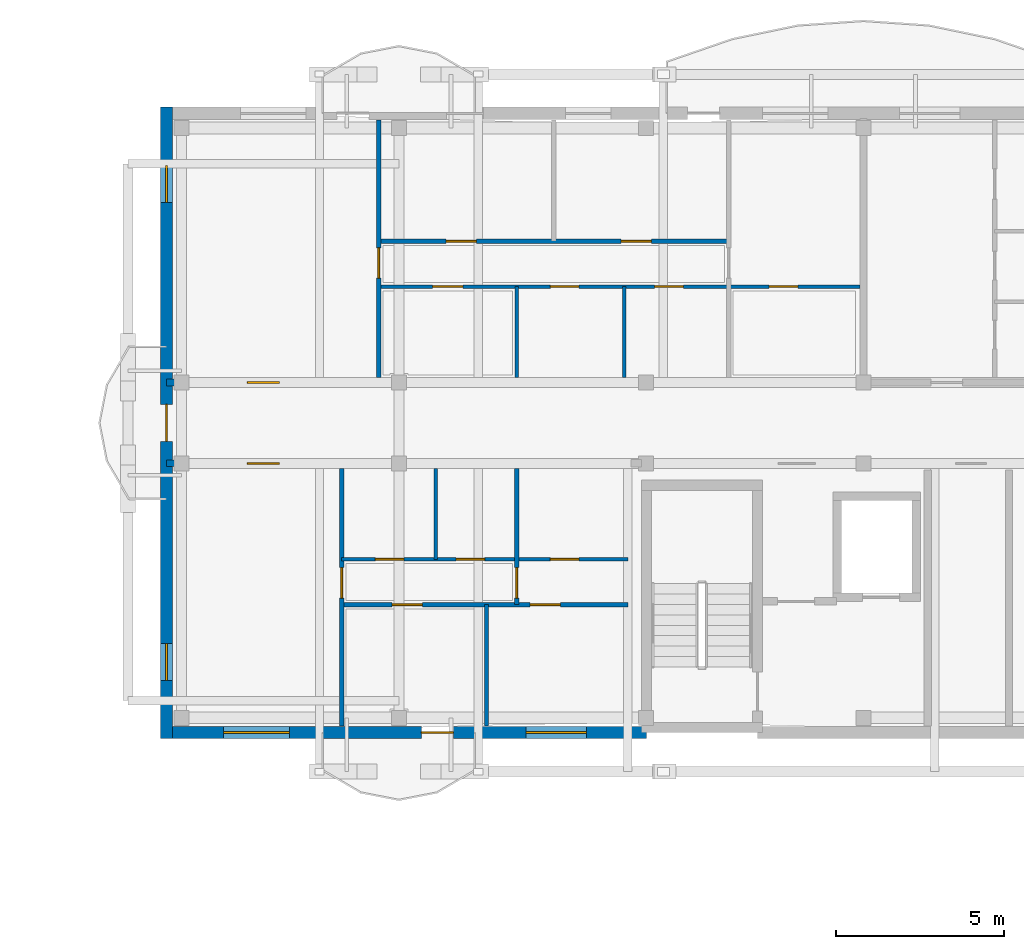
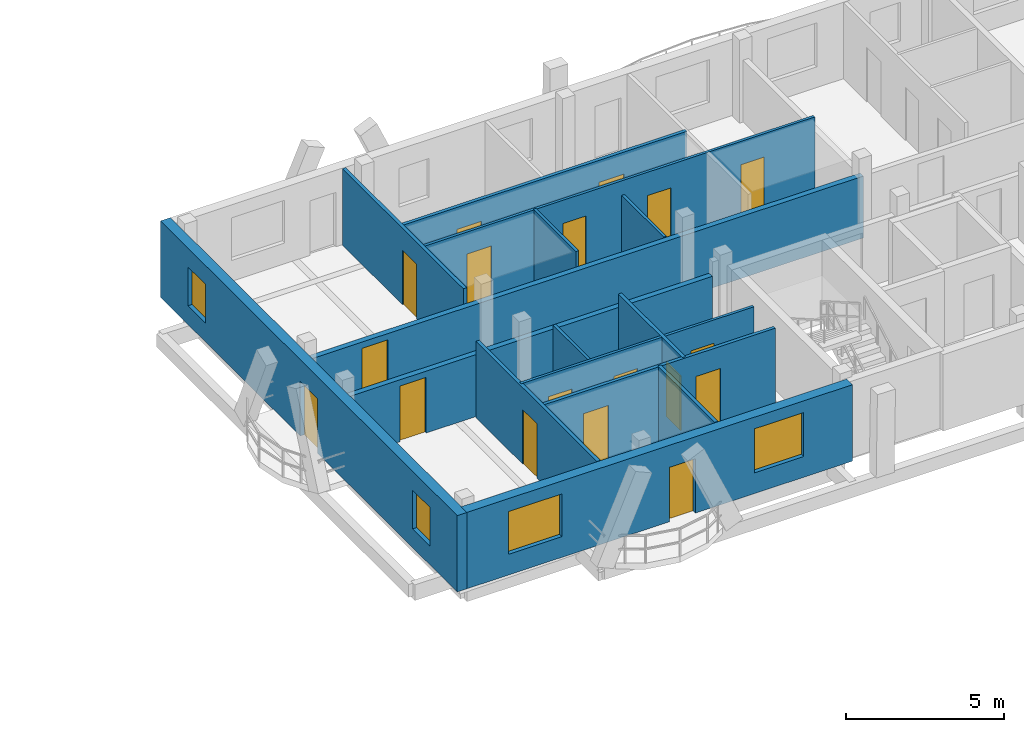
# One storey, part 26 of 48: 18 doors, 15 walls, 4 windows, 22 openings.
"""IFC4 building model written with IfcOpenShell, lengths in metres."""

from ifc_helpers import new_model, si_unit, direction, frame, frame_2d, origin, origin_with_axes, place, context, subcontext, project, spatial, rectangle, extrude, material, layer, layer_set, type_object, element, fill, save


model = new_model("IFC4")

# Units and contexts
model_context = context("Model", 3, precision=1e-05, world=origin(), true_north=direction((0.0, 1.0)))
body_context = subcontext(model_context, "Body", "Model", "MODEL_VIEW")
ifc_project = project(units=[si_unit("LENGTHUNIT", "METRE"), si_unit("AREAUNIT", "SQUARE_METRE"), si_unit("VOLUMEUNIT", "CUBIC_METRE"), si_unit("PLANEANGLEUNIT", "RADIAN"), si_unit("MASSUNIT", "GRAM", prefix="KILO")], contexts=[model_context])

# Site, building, storey
site_placement = place(None, origin())
site = spatial("IfcSite", under=ifc_project, at=site_placement, CompositionType="ELEMENT")
building_placement = place(site_placement, origin())
building = spatial("IfcBuilding", under=site, at=building_placement, Name="Zavelmont Quarter", CompositionType="ELEMENT")
storey_placement = place(building_placement, frame((0.0, 0.0, 17.60009765625)))
storey = spatial("IfcBuildingStorey", under=building, at=storey_placement, Name="L05", CompositionType="ELEMENT", Elevation=17.60009765625)

# Wall, openings, door, windows
ifc_material_1 = material(Name="Natural Belgian limestone", Category="masonry")
ifc_layer_1 = layer(ifc_material_1, 0.360107421875)
ifc_layer_set_1 = layer_set([ifc_layer_1], Name="Natural Belgian limestone")
wall_type_1 = type_object("IfcWallType", Name="EW02", PredefinedType="STANDARD", material=ifc_layer_set_1)
wall_1_placement = place(storey_placement, frame((112.969970703125, 97.60009765625, 0.0), z_axis=(0.0, 0.0, 1.0), x_axis=(1.0, 0.0, 0.0)))
wall_1 = element("IfcWall", 1, at=wall_1_placement, inside=storey, type_object=wall_type_1, Name="L05 exterior limestone wall EW02", PredefinedType="STANDARD", context=body_context, shape_type="SweptSolid", body=[
    extrude(rectangle(XDim=14.080078125, YDim=0.360107421875, at=frame_2d((7.0400390625, 0.0))), origin(), (0.0, 0.0, 1.0), 2.949951171875),
])
opening_1_placement = place(wall_1_placement, frame((7.39990234375, 0.0, 0.0)))
opening_1 = element("IfcOpeningElement", 2, at=opening_1_placement, cuts=wall_1, Name="Opening DR04", PredefinedType="OPENING", context=body_context, shape_type="SweptSolid", body=[
    extrude(rectangle(XDim=0.949951171875, YDim=2.10009765625, at=frame_2d((0.47509765625, 1.050048828125))), frame((0.0, 0.19189453125, 0.0), z_axis=(0.0, -1.0, 0.0), x_axis=(1.0, 0.0, 0.0)), (0.0, 0.0, 1.0), 0.384033203125),
])
opening_2_placement = place(wall_1_placement, frame((1.52490234375, 0.0, 0.800048828125)))
opening_2 = element("IfcOpeningElement", 3, at=opening_2_placement, cuts=wall_1, Name="Opening WN24", PredefinedType="OPENING", context=body_context, shape_type="SweptSolid", body=[
    extrude(rectangle(XDim=1.949951171875, YDim=1.64990234375, at=frame_2d((0.97509765625, 0.824951171875))), frame((0.0, 0.19189453125, 0.0), z_axis=(0.0, -1.0, 0.0), x_axis=(1.0, 0.0, 0.0)), (0.0, 0.0, 1.0), 0.384033203125),
])
opening_3_placement = place(wall_1_placement, frame((10.5, 0.0, 0.800048828125)))
opening_3 = element("IfcOpeningElement", 4, at=opening_3_placement, cuts=wall_1, Name="Opening WN02", PredefinedType="OPENING", context=body_context, shape_type="SweptSolid", body=[
    extrude(rectangle(XDim=1.800048828125, YDim=1.699951171875, at=frame_2d((0.89990234375, 0.85009765625))), frame((0.0, 0.19189453125, 0.0), z_axis=(0.0, -1.0, 0.0), x_axis=(1.0, 0.0, 0.0)), (0.0, 0.0, 1.0), 0.384033203125),
])
ifc_material_2 = material(Name="Thermally broken aluminium and double safety glass", Category="aluminium")
door_type_1 = type_object("IfcDoorType", Name="DR04", OperationType="NOTDEFINED", PredefinedType="DOOR", material=ifc_material_2)
door_1_placement = place(opening_1_placement, origin_with_axes())
door_1 = element("IfcDoor", 5, at=door_1_placement, inside=storey, type_object=door_type_1, Name="Block C L05 glazed balcony door", OperationType="SINGLE_SWING_LEFT", OverallHeight=2.10009765625, OverallWidth=0.949951171875, PredefinedType="DOOR", context=body_context, shape_type="SweptSolid", body=[
    extrude(rectangle(XDim=0.949951171875, YDim=2.10009765625, at=frame_2d((0.47509765625, 1.050048828125))), frame((0.0, 0.02490234375, 0.0), z_axis=(0.0, -1.0, 0.0), x_axis=(1.0, 0.0, 0.0)), (0.0, 0.0, 1.0), 0.050048828125),
])
fill(opening_1, door_1)
ifc_material_3 = material(Name="Double low-E insulated glazing in thermally broken aluminium frame", Category="aluminium")
window_type_1 = type_object("IfcWindowType", Name="WN02", PartitioningType="SINGLE_PANEL", PredefinedType="WINDOW", material=ifc_material_3)
window_1_placement = place(opening_3_placement, origin_with_axes())
window_1 = element("IfcWindow", 6, at=window_1_placement, inside=storey, type_object=window_type_1, Name="L05 window WN02", OverallHeight=1.699951171875, OverallWidth=1.800048828125, PartitioningType="SINGLE_PANEL", PredefinedType="WINDOW", context=body_context, shape_type="SweptSolid", body=[
    extrude(rectangle(XDim=1.800048828125, YDim=1.699951171875, at=frame_2d((0.89990234375, 0.85009765625))), frame((0.0, 0.030029296875, 0.0), z_axis=(0.0, -1.0, 0.0), x_axis=(1.0, 0.0, 0.0)), (0.0, 0.0, 1.0), 0.06005859375),
])
fill(opening_3, window_1)
window_type_2 = type_object("IfcWindowType", Name="WN24", PartitioningType="SINGLE_PANEL", PredefinedType="WINDOW", material=ifc_material_3)
window_2_placement = place(opening_2_placement, origin_with_axes())
window_2 = element("IfcWindow", 7, at=window_2_placement, inside=storey, type_object=window_type_2, Name="L05 window WN24", OverallHeight=1.64990234375, OverallWidth=1.949951171875, PartitioningType="SINGLE_PANEL", PredefinedType="WINDOW", context=body_context, shape_type="SweptSolid", body=[
    extrude(rectangle(XDim=1.949951171875, YDim=1.64990234375, at=frame_2d((0.97509765625, 0.824951171875))), frame((0.0, 0.030029296875, 0.0), z_axis=(0.0, -1.0, 0.0), x_axis=(1.0, 0.0, 0.0)), (0.0, 0.0, 1.0), 0.06005859375),
])
fill(opening_2, window_2)

wall_2_placement = place(storey_placement, frame((112.800048828125, 97.419921875, 0.0), z_axis=(0.0, 0.0, 1.0), x_axis=(0.0, 1.0, 0.0)))
wall_2 = element("IfcWall", 8, at=wall_2_placement, inside=storey, type_object=wall_type_1, Name="L05 exterior limestone wall EW02", PredefinedType="STANDARD", context=body_context, shape_type="SweptSolid", body=[
    extrude(rectangle(XDim=18.760009765625, YDim=0.360107421875, at=frame_2d((9.3798828125, 0.0))), origin(), (0.0, 0.0, 1.0), 2.949951171875),
])
opening_4_placement = place(wall_2_placement, frame((8.830078125, 0.0, 0.0)))
opening_4 = element("IfcOpeningElement", 9, at=opening_4_placement, cuts=wall_2, Name="Opening DR04B", PredefinedType="OPENING", context=body_context, shape_type="SweptSolid", body=[
    extrude(rectangle(XDim=1.10009765625, YDim=2.10009765625, at=frame_2d((0.550048828125, 1.050048828125))), frame((0.0, 0.19189453125, 0.0), z_axis=(0.0, -1.0, 0.0), x_axis=(1.0, 0.0, 0.0)), (0.0, 0.0, 1.0), 0.384033203125),
])
opening_5_placement = place(wall_2_placement, frame((1.72998046875, 0.0, 0.719970703125)))
opening_5 = element("IfcOpeningElement", 10, at=opening_5_placement, cuts=wall_2, Name="Opening WN09", PredefinedType="OPENING", context=body_context, shape_type="SweptSolid", body=[
    extrude(rectangle(XDim=1.10009765625, YDim=1.5, at=frame_2d((0.550048828125, 0.75))), frame((0.0, 0.19189453125, 0.0), z_axis=(0.0, -1.0, 0.0), x_axis=(1.0, 0.0, 0.0)), (0.0, 0.0, 1.0), 0.384033203125),
])
opening_6_placement = place(wall_2_placement, frame((15.929931640625, 0.0, 0.719970703125)))
opening_6 = element("IfcOpeningElement", 11, at=opening_6_placement, cuts=wall_2, Name="Opening WN09", PredefinedType="OPENING", context=body_context, shape_type="SweptSolid", body=[
    extrude(rectangle(XDim=1.10009765625, YDim=1.5, at=frame_2d((0.550048828125, 0.75))), frame((0.0, 0.19189453125, 0.0), z_axis=(0.0, -1.0, 0.0), x_axis=(1.0, 0.0, 0.0)), (0.0, 0.0, 1.0), 0.384033203125),
])
door_type_2 = type_object("IfcDoorType", Name="DR04B", OperationType="NOTDEFINED", PredefinedType="DOOR", material=ifc_material_2)
door_2_placement = place(opening_4_placement, frame((1.10009765625, 0.0, 0.0), z_axis=(0.0, 0.0, 1.0), x_axis=(-1.0, 0.0, 0.0)))
door_2 = element("IfcDoor", 12, at=door_2_placement, inside=storey, type_object=door_type_2, Name="Block C L05 terrace or vase balcony door", OperationType="SINGLE_SWING_LEFT", OverallHeight=2.10009765625, OverallWidth=1.10009765625, PredefinedType="DOOR", context=body_context, shape_type="SweptSolid", body=[
    extrude(rectangle(XDim=1.10009765625, YDim=2.10009765625, at=frame_2d((0.550048828125, 1.050048828125))), frame((0.0, 0.02490234375, 0.0), z_axis=(0.0, -1.0, 0.0), x_axis=(1.0, 0.0, 0.0)), (0.0, 0.0, 1.0), 0.050048828125),
])
fill(opening_4, door_2)
window_type_3 = type_object("IfcWindowType", Name="WN09", PartitioningType="SINGLE_PANEL", PredefinedType="WINDOW", material=ifc_material_3)
window_3_placement = place(opening_5_placement, origin_with_axes())
window_3 = element("IfcWindow", 13, at=window_3_placement, inside=storey, type_object=window_type_3, Name="L05 window WN09", OverallHeight=1.5, OverallWidth=1.10009765625, PartitioningType="SINGLE_PANEL", PredefinedType="WINDOW", context=body_context, shape_type="SweptSolid", body=[
    extrude(rectangle(XDim=1.10009765625, YDim=1.5, at=frame_2d((0.550048828125, 0.75))), frame((0.0, 0.030029296875, 0.0), z_axis=(0.0, -1.0, 0.0), x_axis=(1.0, 0.0, 0.0)), (0.0, 0.0, 1.0), 0.06005859375),
])
fill(opening_5, window_3)
window_4_placement = place(opening_6_placement, origin_with_axes())
window_4 = element("IfcWindow", 14, at=window_4_placement, inside=storey, type_object=window_type_3, Name="L05 window WN09", OverallHeight=1.5, OverallWidth=1.10009765625, PartitioningType="SINGLE_PANEL", PredefinedType="WINDOW", context=body_context, shape_type="SweptSolid", body=[
    extrude(rectangle(XDim=1.10009765625, YDim=1.5, at=frame_2d((0.550048828125, 0.75))), frame((0.0, 0.030029296875, 0.0), z_axis=(0.0, -1.0, 0.0), x_axis=(1.0, 0.0, 0.0)), (0.0, 0.0, 1.0), 0.06005859375),
])
fill(opening_6, window_4)

# Wall, opening, door
ifc_material_4 = material(Name="Calcium-silicate blockwork and acoustic plaster", Category="masonry")
ifc_layer_2 = layer(ifc_material_4, 0.199951171875)
ifc_layer_set_2 = layer_set([ifc_layer_2], Name="Calcium-silicate blockwork and acoustic plaster")
wall_type_2 = type_object("IfcWallType", Name="IW01", PredefinedType="PARTITIONING", material=ifc_layer_set_2)
wall_3_placement = place(storey_placement, frame((112.800048828125, 108.0, 0.0), z_axis=(0.0, 0.0, 1.0), x_axis=(1.0, 0.0, 0.0)))
wall_3 = element("IfcWall", 15, at=wall_3_placement, inside=storey, type_object=wall_type_2, Name="L05 Corridor compartment wall IW01", PredefinedType="PARTITIONING", context=body_context, shape_type="SweptSolid", body=[
    extrude(rectangle(XDim=20.699951171875, YDim=0.199951171875, at=frame_2d((10.35009765625, 0.0))), origin(), (0.0, 0.0, 1.0), 2.389892578125),
])
opening_7_placement = place(wall_3_placement, frame((2.39990234375, 0.0, 0.0)))
opening_7 = element("IfcOpeningElement", 16, at=opening_7_placement, cuts=wall_3, Name="Opening DR02", PredefinedType="OPENING", context=body_context, shape_type="SweptSolid", body=[
    extrude(rectangle(XDim=0.949951171875, YDim=2.14990234375, at=frame_2d((0.47509765625, 1.074951171875))), frame((0.0, 0.11181640625, 0.0), z_axis=(0.0, -1.0, 0.0), x_axis=(1.0, 0.0, 0.0)), (0.0, 0.0, 1.0), 0.223876953125),
])
ifc_material_5 = material(Name="Solid-core oak fire leaf in steel frame", Category="steel")
door_type_3 = type_object("IfcDoorType", Name="DR02", OperationType="NOTDEFINED", PredefinedType="DOOR", material=ifc_material_5)
door_3_placement = place(opening_7_placement, origin_with_axes())
door_3 = element("IfcDoor", 17, at=door_3_placement, inside=storey, type_object=door_type_3, Name="L05 door DR02", OperationType="SINGLE_SWING_LEFT", OverallHeight=2.14990234375, OverallWidth=0.949951171875, PredefinedType="DOOR", context=body_context, shape_type="SweptSolid", body=[
    extrude(rectangle(XDim=0.949951171875, YDim=2.14990234375, at=frame_2d((0.47509765625, 1.074951171875))), frame((0.0, 0.02490234375, 0.0), z_axis=(0.0, -1.0, 0.0), x_axis=(1.0, 0.0, 0.0)), (0.0, 0.0, 1.0), 0.050048828125),
])
fill(opening_7, door_3)

wall_4_placement = place(storey_placement, frame((112.800048828125, 105.60009765625, 0.0), z_axis=(0.0, 0.0, 1.0), x_axis=(1.0, 0.0, 0.0)))
wall_4 = element("IfcWall", 18, at=wall_4_placement, inside=storey, type_object=wall_type_2, Name="L05 Corridor compartment wall IW01", PredefinedType="PARTITIONING", context=body_context, shape_type="SweptSolid", body=[
    extrude(rectangle(XDim=13.800048828125, YDim=0.199951171875, at=frame_2d((6.89990234375, 0.0))), origin(), (0.0, 0.0, 1.0), 2.389892578125),
])
opening_8_placement = place(wall_4_placement, frame((2.39990234375, 0.0, 0.0)))
opening_8 = element("IfcOpeningElement", 19, at=opening_8_placement, cuts=wall_4, Name="Opening DR02", PredefinedType="OPENING", context=body_context, shape_type="SweptSolid", body=[
    extrude(rectangle(XDim=0.949951171875, YDim=2.14990234375, at=frame_2d((0.47509765625, 1.074951171875))), frame((0.0, 0.11181640625, 0.0), z_axis=(0.0, -1.0, 0.0), x_axis=(1.0, 0.0, 0.0)), (0.0, 0.0, 1.0), 0.223876953125),
])
door_4_placement = place(opening_8_placement, frame((0.949951171875, 0.0, 0.0), z_axis=(0.0, 0.0, 1.0), x_axis=(-1.0, 0.0, 0.0)))
door_4 = element("IfcDoor", 20, at=door_4_placement, inside=storey, type_object=door_type_3, Name="L05 door DR02", OperationType="SINGLE_SWING_LEFT", OverallHeight=2.14990234375, OverallWidth=0.949951171875, PredefinedType="DOOR", context=body_context, shape_type="SweptSolid", body=[
    extrude(rectangle(XDim=0.949951171875, YDim=2.14990234375, at=frame_2d((0.47509765625, 1.074951171875))), frame((0.0, 0.02490234375, 0.0), z_axis=(0.0, -1.0, 0.0), x_axis=(1.0, 0.0, 0.0)), (0.0, 0.0, 1.0), 0.050048828125),
])
fill(opening_8, door_4)

ifc_material_6 = material(Name="Double gypsum board on acoustic steel stud", Category="steel")
ifc_layer_3 = layer(ifc_material_6, 0.125)
ifc_layer_set_3 = layer_set([ifc_layer_3], Name="Double gypsum board on acoustic steel stud")
wall_type_3 = type_object("IfcWallType", Name="IW03", PredefinedType="PARTITIONING", material=ifc_layer_set_3)
wall_5_placement = place(storey_placement, frame((119.10009765625, 108.14990234375, 0.0), z_axis=(0.0, 0.0, 1.0), x_axis=(0.0, 1.0, 0.0)))
wall_5 = element("IfcWall", 21, at=wall_5_placement, inside=storey, type_object=wall_type_3, Name="L05 Partition IW03", PredefinedType="PARTITIONING", context=body_context, shape_type="SweptSolid", body=[
    extrude(rectangle(XDim=7.650146484375, YDim=0.125, at=frame_2d((3.8251953125, 0.0))), origin(), (0.0, 0.0, 1.0), 2.949951171875),
])
opening_9_placement = place(wall_5_placement, frame((2.949951171875, 0.0, 0.0)))
opening_9 = element("IfcOpeningElement", 22, at=opening_9_placement, cuts=wall_5, Name="Opening DR05", PredefinedType="OPENING", context=body_context, shape_type="SweptSolid", body=[
    extrude(rectangle(XDim=0.89990234375, YDim=2.10009765625, at=frame_2d((0.449951171875, 1.050048828125))), frame((0.0, 0.074462890625, 0.0), z_axis=(0.0, -1.0, 0.0), x_axis=(1.0, 0.0, 0.0)), (0.0, 0.0, 1.0), 0.14892578125),
])
ifc_material_7 = material(Name="Engineered oak flush interior door")
door_type_4 = type_object("IfcDoorType", Name="DR05", OperationType="NOTDEFINED", PredefinedType="DOOR", material=ifc_material_7)
door_5_placement = place(opening_9_placement, origin_with_axes())
door_5 = element("IfcDoor", 23, at=door_5_placement, inside=storey, type_object=door_type_4, Name="L05 door DR05", OperationType="SINGLE_SWING_LEFT", OverallHeight=2.10009765625, OverallWidth=0.89990234375, PredefinedType="DOOR", context=body_context, shape_type="SweptSolid", body=[
    extrude(rectangle(XDim=0.89990234375, YDim=2.10009765625, at=frame_2d((0.449951171875, 1.050048828125))), frame((0.0, 0.02490234375, 0.0), z_axis=(0.0, -1.0, 0.0), x_axis=(1.0, 0.0, 0.0)), (0.0, 0.0, 1.0), 0.050048828125),
])
fill(opening_9, door_5)

# Wall, openings, doors
wall_6_placement = place(storey_placement, frame((119.10009765625, 112.199951171875, 0.0), z_axis=(0.0, 0.0, 1.0), x_axis=(1.0, 0.0, 0.0)))
wall_6 = element("IfcWall", 24, at=wall_6_placement, inside=storey, type_object=wall_type_3, Name="L05 Partition IW03", PredefinedType="PARTITIONING", context=body_context, shape_type="SweptSolid", body=[
    extrude(rectangle(XDim=10.39990234375, YDim=0.125, at=frame_2d((5.199951171875, 0.0))), origin(), (0.0, 0.0, 1.0), 2.949951171875),
])
opening_10_placement = place(wall_6_placement, frame((2.0, 0.0, 0.0)))
opening_10 = element("IfcOpeningElement", 25, at=opening_10_placement, cuts=wall_6, Name="Opening DR05", PredefinedType="OPENING", context=body_context, shape_type="SweptSolid", body=[
    extrude(rectangle(XDim=0.89990234375, YDim=2.10009765625, at=frame_2d((0.449951171875, 1.050048828125))), frame((0.0, 0.074462890625, 0.0), z_axis=(0.0, -1.0, 0.0), x_axis=(1.0, 0.0, 0.0)), (0.0, 0.0, 1.0), 0.14892578125),
])
opening_11_placement = place(wall_6_placement, frame((7.199951171875, 0.0, 0.0)))
opening_11 = element("IfcOpeningElement", 26, at=opening_11_placement, cuts=wall_6, Name="Opening DR05", PredefinedType="OPENING", context=body_context, shape_type="SweptSolid", body=[
    extrude(rectangle(XDim=0.89990234375, YDim=2.10009765625, at=frame_2d((0.449951171875, 1.050048828125))), frame((0.0, 0.074462890625, 0.0), z_axis=(0.0, -1.0, 0.0), x_axis=(1.0, 0.0, 0.0)), (0.0, 0.0, 1.0), 0.14892578125),
])
door_6_placement = place(opening_10_placement, origin_with_axes())
door_6 = element("IfcDoor", 27, at=door_6_placement, inside=storey, type_object=door_type_4, Name="L05 door DR05", OperationType="SINGLE_SWING_LEFT", OverallHeight=2.10009765625, OverallWidth=0.89990234375, PredefinedType="DOOR", context=body_context, shape_type="SweptSolid", body=[
    extrude(rectangle(XDim=0.89990234375, YDim=2.10009765625, at=frame_2d((0.449951171875, 1.050048828125))), frame((0.0, 0.02490234375, 0.0), z_axis=(0.0, -1.0, 0.0), x_axis=(1.0, 0.0, 0.0)), (0.0, 0.0, 1.0), 0.050048828125),
])
fill(opening_10, door_6)
door_7_placement = place(opening_11_placement, frame((0.89990234375, 0.0, 0.0), z_axis=(0.0, 0.0, 1.0), x_axis=(-1.0, 0.0, 0.0)))
door_7 = element("IfcDoor", 28, at=door_7_placement, inside=storey, type_object=door_type_4, Name="L05 door DR05", OperationType="SINGLE_SWING_RIGHT", OverallHeight=2.10009765625, OverallWidth=0.89990234375, PredefinedType="DOOR", context=body_context, shape_type="SweptSolid", body=[
    extrude(rectangle(XDim=0.89990234375, YDim=2.10009765625, at=frame_2d((0.449951171875, 1.050048828125))), frame((0.0, 0.02490234375, 0.0), z_axis=(0.0, -1.0, 0.0), x_axis=(1.0, 0.0, 0.0)), (0.0, 0.0, 1.0), 0.050048828125),
])
fill(opening_11, door_7)

# Wall, opening, door
wall_7_placement = place(storey_placement, frame((118.0, 105.449951171875, 0.0), z_axis=(0.0, 0.0, 1.0), x_axis=(0.0, -1.0, 0.0)))
wall_7 = element("IfcWall", 29, at=wall_7_placement, inside=storey, type_object=wall_type_3, Name="L05 Partition IW03", PredefinedType="PARTITIONING", context=body_context, shape_type="SweptSolid", body=[
    extrude(rectangle(XDim=7.64990234375, YDim=0.125, at=frame_2d((3.824951171875, 0.0))), origin(), (0.0, 0.0, 1.0), 2.949951171875),
])
opening_12_placement = place(wall_7_placement, frame((2.949951171875, 0.0, 0.0)))
opening_12 = element("IfcOpeningElement", 30, at=opening_12_placement, cuts=wall_7, Name="Opening DR05", PredefinedType="OPENING", context=body_context, shape_type="SweptSolid", body=[
    extrude(rectangle(XDim=0.89990234375, YDim=2.10009765625, at=frame_2d((0.449951171875, 1.050048828125))), frame((0.0, 0.074462890625, 0.0), z_axis=(0.0, -1.0, 0.0), x_axis=(1.0, 0.0, 0.0)), (0.0, 0.0, 1.0), 0.14892578125),
])
door_8_placement = place(opening_12_placement, origin_with_axes())
door_8 = element("IfcDoor", 31, at=door_8_placement, inside=storey, type_object=door_type_4, Name="L05 door DR05", OperationType="SINGLE_SWING_LEFT", OverallHeight=2.10009765625, OverallWidth=0.89990234375, PredefinedType="DOOR", context=body_context, shape_type="SweptSolid", body=[
    extrude(rectangle(XDim=0.89990234375, YDim=2.10009765625, at=frame_2d((0.449951171875, 1.050048828125))), frame((0.0, 0.02490234375, 0.0), z_axis=(0.0, -1.0, 0.0), x_axis=(1.0, 0.0, 0.0)), (0.0, 0.0, 1.0), 0.050048828125),
])
fill(opening_12, door_8)

wall_8_placement = place(storey_placement, frame((123.199951171875, 105.449951171875, 0.0), z_axis=(0.0, 0.0, 1.0), x_axis=(0.0, -1.0, 0.0)))
wall_8 = element("IfcWall", 32, at=wall_8_placement, inside=storey, type_object=wall_type_3, Name="L05 Partition IW03", PredefinedType="PARTITIONING", context=body_context, shape_type="SweptSolid", body=[
    extrude(rectangle(XDim=4.050048828125, YDim=0.125, at=frame_2d((2.02490234375, 0.0))), origin(), (0.0, 0.0, 1.0), 2.949951171875),
])
opening_13_placement = place(wall_8_placement, frame((2.949951171875, 0.0, 0.0)))
opening_13 = element("IfcOpeningElement", 33, at=opening_13_placement, cuts=wall_8, Name="Opening DR05", PredefinedType="OPENING", context=body_context, shape_type="SweptSolid", body=[
    extrude(rectangle(XDim=0.89990234375, YDim=2.10009765625, at=frame_2d((0.449951171875, 1.050048828125))), frame((0.0, 0.074462890625, 0.0), z_axis=(0.0, -1.0, 0.0), x_axis=(1.0, 0.0, 0.0)), (0.0, 0.0, 1.0), 0.14892578125),
])
door_9_placement = place(opening_13_placement, frame((0.89990234375, 0.0, 0.0), z_axis=(0.0, 0.0, 1.0), x_axis=(-1.0, 0.0, 0.0)))
door_9 = element("IfcDoor", 34, at=door_9_placement, inside=storey, type_object=door_type_4, Name="L05 door DR05", OperationType="SINGLE_SWING_RIGHT", OverallHeight=2.10009765625, OverallWidth=0.89990234375, PredefinedType="DOOR", context=body_context, shape_type="SweptSolid", body=[
    extrude(rectangle(XDim=0.89990234375, YDim=2.10009765625, at=frame_2d((0.449951171875, 1.050048828125))), frame((0.0, 0.02490234375, 0.0), z_axis=(0.0, -1.0, 0.0), x_axis=(1.0, 0.0, 0.0)), (0.0, 0.0, 1.0), 0.050048828125),
])
fill(opening_13, door_9)

# Wall
wall_9_placement = place(storey_placement, frame((122.300048828125, 101.39990234375, 0.0), z_axis=(0.0, 0.0, 1.0), x_axis=(0.0, -1.0, 0.0)))
element("IfcWall", 35, at=wall_9_placement, inside=storey, type_object=wall_type_3, Name="L05 Partition IW03", PredefinedType="PARTITIONING", context=body_context, shape_type="SweptSolid", body=[
    extrude(rectangle(XDim=3.599853515625, YDim=0.125, at=frame_2d((1.7998046875, 0.0))), origin(), (0.0, 0.0, 1.0), 2.949951171875),
])

# Wall, openings, doors
wall_10_placement = place(storey_placement, frame((118.0, 101.39990234375, 0.0), z_axis=(0.0, 0.0, 1.0), x_axis=(1.0, 0.0, 0.0)))
wall_10 = element("IfcWall", 36, at=wall_10_placement, inside=storey, type_object=wall_type_3, Name="L05 Partition IW03", PredefinedType="PARTITIONING", context=body_context, shape_type="SweptSolid", body=[
    extrude(rectangle(XDim=8.5, YDim=0.125, at=frame_2d((4.25, 0.0))), origin(), (0.0, 0.0, 1.0), 2.949951171875),
])
opening_14_placement = place(wall_10_placement, frame((1.5, 0.0, 0.0)))
opening_14 = element("IfcOpeningElement", 37, at=opening_14_placement, cuts=wall_10, Name="Opening DR05", PredefinedType="OPENING", context=body_context, shape_type="SweptSolid", body=[
    extrude(rectangle(XDim=0.89990234375, YDim=2.10009765625, at=frame_2d((0.449951171875, 1.050048828125))), frame((0.0, 0.074462890625, 0.0), z_axis=(0.0, -1.0, 0.0), x_axis=(1.0, 0.0, 0.0)), (0.0, 0.0, 1.0), 0.14892578125),
])
opening_15_placement = place(wall_10_placement, frame((5.60009765625, 0.0, 0.0)))
opening_15 = element("IfcOpeningElement", 38, at=opening_15_placement, cuts=wall_10, Name="Opening DR05", PredefinedType="OPENING", context=body_context, shape_type="SweptSolid", body=[
    extrude(rectangle(XDim=0.89990234375, YDim=2.10009765625, at=frame_2d((0.449951171875, 1.050048828125))), frame((0.0, 0.074462890625, 0.0), z_axis=(0.0, -1.0, 0.0), x_axis=(1.0, 0.0, 0.0)), (0.0, 0.0, 1.0), 0.14892578125),
])
door_10_placement = place(opening_14_placement, frame((0.89990234375, 0.0, 0.0), z_axis=(0.0, 0.0, 1.0), x_axis=(-1.0, 0.0, 0.0)))
door_10 = element("IfcDoor", 39, at=door_10_placement, inside=storey, type_object=door_type_4, Name="L05 door DR05", OperationType="SINGLE_SWING_RIGHT", OverallHeight=2.10009765625, OverallWidth=0.89990234375, PredefinedType="DOOR", context=body_context, shape_type="SweptSolid", body=[
    extrude(rectangle(XDim=0.89990234375, YDim=2.10009765625, at=frame_2d((0.449951171875, 1.050048828125))), frame((0.0, 0.02490234375, 0.0), z_axis=(0.0, -1.0, 0.0), x_axis=(1.0, 0.0, 0.0)), (0.0, 0.0, 1.0), 0.050048828125),
])
fill(opening_14, door_10)
door_11_placement = place(opening_15_placement, origin_with_axes())
door_11 = element("IfcDoor", 40, at=door_11_placement, inside=storey, type_object=door_type_4, Name="L05 door DR05", OperationType="SINGLE_SWING_LEFT", OverallHeight=2.10009765625, OverallWidth=0.89990234375, PredefinedType="DOOR", context=body_context, shape_type="SweptSolid", body=[
    extrude(rectangle(XDim=0.89990234375, YDim=2.10009765625, at=frame_2d((0.449951171875, 1.050048828125))), frame((0.0, 0.02490234375, 0.0), z_axis=(0.0, -1.0, 0.0), x_axis=(1.0, 0.0, 0.0)), (0.0, 0.0, 1.0), 0.050048828125),
])
fill(opening_15, door_11)

# Walls
ifc_material_8 = material(Name="Moisture-resistant gypsum board on steel stud", Category="steel")
ifc_layer_4 = layer(ifc_material_8, 0.10009765625)
ifc_layer_set_4 = layer_set([ifc_layer_4], Name="Moisture-resistant gypsum board on steel stud")
wall_type_4 = type_object("IfcWallType", Name="IW04", PredefinedType="PARTITIONING", material=ifc_layer_set_4)
wall_11_placement = place(storey_placement, frame((123.199951171875, 108.14990234375, 0.0), z_axis=(0.0, 0.0, 1.0), x_axis=(0.0, 1.0, 0.0)))
element("IfcWall", 41, at=wall_11_placement, inside=storey, type_object=wall_type_4, Name="L05 Partition IW04", PredefinedType="PARTITIONING", context=body_context, shape_type="SweptSolid", body=[
    extrude(rectangle(XDim=2.7001953125, YDim=0.10009765625, at=frame_2d((1.35009765625, 0.0))), origin(), (0.0, 0.0, 1.0), 2.949951171875),
])
wall_12_placement = place(storey_placement, frame((126.39990234375, 108.14990234375, 0.0), z_axis=(0.0, 0.0, 1.0), x_axis=(0.0, 1.0, 0.0)))
element("IfcWall", 42, at=wall_12_placement, inside=storey, type_object=wall_type_4, Name="L05 Partition IW04", PredefinedType="PARTITIONING", context=body_context, shape_type="SweptSolid", body=[
    extrude(rectangle(XDim=2.7001953125, YDim=0.10009765625, at=frame_2d((1.35009765625, 0.0))), origin(), (0.0, 0.0, 1.0), 2.389892578125),
])

# Wall, openings, doors
wall_13_placement = place(storey_placement, frame((119.10009765625, 110.85009765625, 0.0), z_axis=(0.0, 0.0, 1.0), x_axis=(1.0, 0.0, 0.0)))
wall_13 = element("IfcWall", 43, at=wall_13_placement, inside=storey, type_object=wall_type_4, Name="L05 Partition IW04", PredefinedType="PARTITIONING", context=body_context, shape_type="SweptSolid", body=[
    extrude(rectangle(XDim=14.2998046875, YDim=0.10009765625, at=frame_2d((7.14990234375, 0.0))), origin(), (0.0, 0.0, 1.0), 2.949951171875),
])
opening_16_placement = place(wall_13_placement, frame((1.60009765625, 0.0, 0.0)))
opening_16 = element("IfcOpeningElement", 44, at=opening_16_placement, cuts=wall_13, Name="Opening DR05", PredefinedType="OPENING", context=body_context, shape_type="SweptSolid", body=[
    extrude(rectangle(XDim=0.89990234375, YDim=2.10009765625, at=frame_2d((0.449951171875, 1.050048828125))), frame((0.0, 0.06201171875, 0.0), z_axis=(0.0, -1.0, 0.0), x_axis=(1.0, 0.0, 0.0)), (0.0, 0.0, 1.0), 0.1240234375),
])
opening_17_placement = place(wall_13_placement, frame((5.10009765625, 0.0, 0.0)))
opening_17 = element("IfcOpeningElement", 45, at=opening_17_placement, cuts=wall_13, Name="Opening DR06", PredefinedType="OPENING", context=body_context, shape_type="SweptSolid", body=[
    extrude(rectangle(XDim=0.85009765625, YDim=2.050048828125, at=frame_2d((0.425048828125, 1.02490234375))), frame((0.0, 0.06201171875, 0.0), z_axis=(0.0, -1.0, 0.0), x_axis=(1.0, 0.0, 0.0)), (0.0, 0.0, 1.0), 0.1240234375),
])
opening_18_placement = place(wall_13_placement, frame((8.199951171875, 0.0, 0.0)))
opening_18 = element("IfcOpeningElement", 46, at=opening_18_placement, cuts=wall_13, Name="Opening DR06", PredefinedType="OPENING", context=body_context, shape_type="SweptSolid", body=[
    extrude(rectangle(XDim=0.85009765625, YDim=2.050048828125, at=frame_2d((0.425048828125, 1.02490234375))), frame((0.0, 0.06201171875, 0.0), z_axis=(0.0, -1.0, 0.0), x_axis=(1.0, 0.0, 0.0)), (0.0, 0.0, 1.0), 0.1240234375),
])
opening_19_placement = place(wall_13_placement, frame((11.60009765625, 0.0, 0.0)))
opening_19 = element("IfcOpeningElement", 47, at=opening_19_placement, cuts=wall_13, Name="Opening DR06", PredefinedType="OPENING", context=body_context, shape_type="SweptSolid", body=[
    extrude(rectangle(XDim=0.85009765625, YDim=2.050048828125, at=frame_2d((0.425048828125, 1.02490234375))), frame((0.0, 0.06201171875, 0.0), z_axis=(0.0, -1.0, 0.0), x_axis=(1.0, 0.0, 0.0)), (0.0, 0.0, 1.0), 0.1240234375),
])
door_12_placement = place(opening_16_placement, origin_with_axes())
door_12 = element("IfcDoor", 48, at=door_12_placement, inside=storey, type_object=door_type_4, Name="L05 door DR05", OperationType="SINGLE_SWING_LEFT", OverallHeight=2.10009765625, OverallWidth=0.89990234375, PredefinedType="DOOR", context=body_context, shape_type="SweptSolid", body=[
    extrude(rectangle(XDim=0.89990234375, YDim=2.10009765625, at=frame_2d((0.449951171875, 1.050048828125))), frame((0.0, 0.02490234375, 0.0), z_axis=(0.0, -1.0, 0.0), x_axis=(1.0, 0.0, 0.0)), (0.0, 0.0, 1.0), 0.050048828125),
])
fill(opening_16, door_12)
ifc_material_9 = material(Name="Moisture-resistant painted wet-room door")
door_type_5 = type_object("IfcDoorType", Name="DR06", OperationType="NOTDEFINED", PredefinedType="DOOR", material=ifc_material_9)
door_13_placement = place(opening_17_placement, frame((0.85009765625, 0.0, 0.0), z_axis=(0.0, 0.0, 1.0), x_axis=(-1.0, 0.0, 0.0)))
door_13 = element("IfcDoor", 49, at=door_13_placement, inside=storey, type_object=door_type_5, Name="L05 door DR06", OperationType="SINGLE_SWING_RIGHT", OverallHeight=2.050048828125, OverallWidth=0.85009765625, PredefinedType="DOOR", context=body_context, shape_type="SweptSolid", body=[
    extrude(rectangle(XDim=0.85009765625, YDim=2.050048828125, at=frame_2d((0.425048828125, 1.02490234375))), frame((0.0, 0.02490234375, 0.0), z_axis=(0.0, -1.0, 0.0), x_axis=(1.0, 0.0, 0.0)), (0.0, 0.0, 1.0), 0.050048828125),
])
fill(opening_17, door_13)
door_14_placement = place(opening_18_placement, origin_with_axes())
door_14 = element("IfcDoor", 50, at=door_14_placement, inside=storey, type_object=door_type_5, Name="L05 door DR06", OperationType="SINGLE_SWING_LEFT", OverallHeight=2.050048828125, OverallWidth=0.85009765625, PredefinedType="DOOR", context=body_context, shape_type="SweptSolid", body=[
    extrude(rectangle(XDim=0.85009765625, YDim=2.050048828125, at=frame_2d((0.425048828125, 1.02490234375))), frame((0.0, 0.02490234375, 0.0), z_axis=(0.0, -1.0, 0.0), x_axis=(1.0, 0.0, 0.0)), (0.0, 0.0, 1.0), 0.050048828125),
])
fill(opening_18, door_14)
door_15_placement = place(opening_19_placement, frame((0.85009765625, 0.0, 0.0), z_axis=(0.0, 0.0, 1.0), x_axis=(-1.0, 0.0, 0.0)))
door_15 = element("IfcDoor", 51, at=door_15_placement, inside=storey, type_object=door_type_5, Name="L05 door DR06", OperationType="SINGLE_SWING_RIGHT", OverallHeight=2.050048828125, OverallWidth=0.85009765625, PredefinedType="DOOR", context=body_context, shape_type="SweptSolid", body=[
    extrude(rectangle(XDim=0.85009765625, YDim=2.050048828125, at=frame_2d((0.425048828125, 1.02490234375))), frame((0.0, 0.02490234375, 0.0), z_axis=(0.0, -1.0, 0.0), x_axis=(1.0, 0.0, 0.0)), (0.0, 0.0, 1.0), 0.050048828125),
])
fill(opening_19, door_15)

# Wall
wall_14_placement = place(storey_placement, frame((120.800048828125, 105.449951171875, 0.0), z_axis=(0.0, 0.0, 1.0), x_axis=(0.0, -1.0, 0.0)))
element("IfcWall", 52, at=wall_14_placement, inside=storey, type_object=wall_type_4, Name="L05 Partition IW04", PredefinedType="PARTITIONING", context=body_context, shape_type="SweptSolid", body=[
    extrude(rectangle(XDim=2.699951171875, YDim=0.10009765625, at=frame_2d((1.35009765625, 0.0))), origin(), (0.0, 0.0, 1.0), 2.58984375),
])

# Wall, openings, doors
wall_15_placement = place(storey_placement, frame((118.0, 102.75, 0.0), z_axis=(0.0, 0.0, 1.0), x_axis=(1.0, 0.0, 0.0)))
wall_15 = element("IfcWall", 53, at=wall_15_placement, inside=storey, type_object=wall_type_4, Name="L05 Partition IW04", PredefinedType="PARTITIONING", context=body_context, shape_type="SweptSolid", body=[
    extrude(rectangle(XDim=8.5, YDim=0.10009765625, at=frame_2d((4.25, 0.0))), origin(), (0.0, 0.0, 1.0), 2.949951171875),
])
opening_20_placement = place(wall_15_placement, frame((1.0, 0.0, 0.0)))
opening_20 = element("IfcOpeningElement", 54, at=opening_20_placement, cuts=wall_15, Name="Opening DR16", PredefinedType="OPENING", context=body_context, shape_type="SweptSolid", body=[
    extrude(rectangle(XDim=0.85009765625, YDim=2.10009765625, at=frame_2d((0.425048828125, 1.050048828125))), frame((0.0, 0.06201171875, 0.0), z_axis=(0.0, -1.0, 0.0), x_axis=(1.0, 0.0, 0.0)), (0.0, 0.0, 1.0), 0.1240234375),
])
opening_21_placement = place(wall_15_placement, frame((3.39990234375, 0.0, 0.0)))
opening_21 = element("IfcOpeningElement", 55, at=opening_21_placement, cuts=wall_15, Name="Opening DR06", PredefinedType="OPENING", context=body_context, shape_type="SweptSolid", body=[
    extrude(rectangle(XDim=0.85009765625, YDim=2.050048828125, at=frame_2d((0.425048828125, 1.02490234375))), frame((0.0, 0.06201171875, 0.0), z_axis=(0.0, -1.0, 0.0), x_axis=(1.0, 0.0, 0.0)), (0.0, 0.0, 1.0), 0.1240234375),
])
opening_22_placement = place(wall_15_placement, frame((6.199951171875, 0.0, 0.0)))
opening_22 = element("IfcOpeningElement", 56, at=opening_22_placement, cuts=wall_15, Name="Opening DR06", PredefinedType="OPENING", context=body_context, shape_type="SweptSolid", body=[
    extrude(rectangle(XDim=0.85009765625, YDim=2.050048828125, at=frame_2d((0.425048828125, 1.02490234375))), frame((0.0, 0.06201171875, 0.0), z_axis=(0.0, -1.0, 0.0), x_axis=(1.0, 0.0, 0.0)), (0.0, 0.0, 1.0), 0.1240234375),
])
door_16_placement = place(opening_21_placement, frame((0.85009765625, 0.0, 0.0), z_axis=(0.0, 0.0, 1.0), x_axis=(-1.0, 0.0, 0.0)))
door_16 = element("IfcDoor", 57, at=door_16_placement, inside=storey, type_object=door_type_5, Name="L05 door DR06", OperationType="SINGLE_SWING_RIGHT", OverallHeight=2.050048828125, OverallWidth=0.85009765625, PredefinedType="DOOR", context=body_context, shape_type="SweptSolid", body=[
    extrude(rectangle(XDim=0.85009765625, YDim=2.050048828125, at=frame_2d((0.425048828125, 1.02490234375))), frame((0.0, 0.02490234375, 0.0), z_axis=(0.0, -1.0, 0.0), x_axis=(1.0, 0.0, 0.0)), (0.0, 0.0, 1.0), 0.050048828125),
])
fill(opening_21, door_16)
door_17_placement = place(opening_22_placement, origin_with_axes())
door_17 = element("IfcDoor", 58, at=door_17_placement, inside=storey, type_object=door_type_5, Name="L05 door DR06", OperationType="SINGLE_SWING_LEFT", OverallHeight=2.050048828125, OverallWidth=0.85009765625, PredefinedType="DOOR", context=body_context, shape_type="SweptSolid", body=[
    extrude(rectangle(XDim=0.85009765625, YDim=2.050048828125, at=frame_2d((0.425048828125, 1.02490234375))), frame((0.0, 0.02490234375, 0.0), z_axis=(0.0, -1.0, 0.0), x_axis=(1.0, 0.0, 0.0)), (0.0, 0.0, 1.0), 0.050048828125),
])
fill(opening_22, door_17)
door_type_6 = type_object("IfcDoorType", Name="DR16", OperationType="NOTDEFINED", PredefinedType="DOOR", material=ifc_material_7)
door_18_placement = place(opening_20_placement, origin_with_axes())
door_18 = element("IfcDoor", 59, at=door_18_placement, inside=storey, type_object=door_type_6, Name="L05 door DR16", OperationType="SINGLE_SWING_LEFT", OverallHeight=2.10009765625, OverallWidth=0.85009765625, PredefinedType="DOOR", context=body_context, shape_type="SweptSolid", body=[
    extrude(rectangle(XDim=0.85009765625, YDim=2.10009765625, at=frame_2d((0.425048828125, 1.050048828125))), frame((0.0, 0.02490234375, 0.0), z_axis=(0.0, -1.0, 0.0), x_axis=(1.0, 0.0, 0.0)), (0.0, 0.0, 1.0), 0.050048828125),
])
fill(opening_20, door_18)

save(model, "model.ifc")
